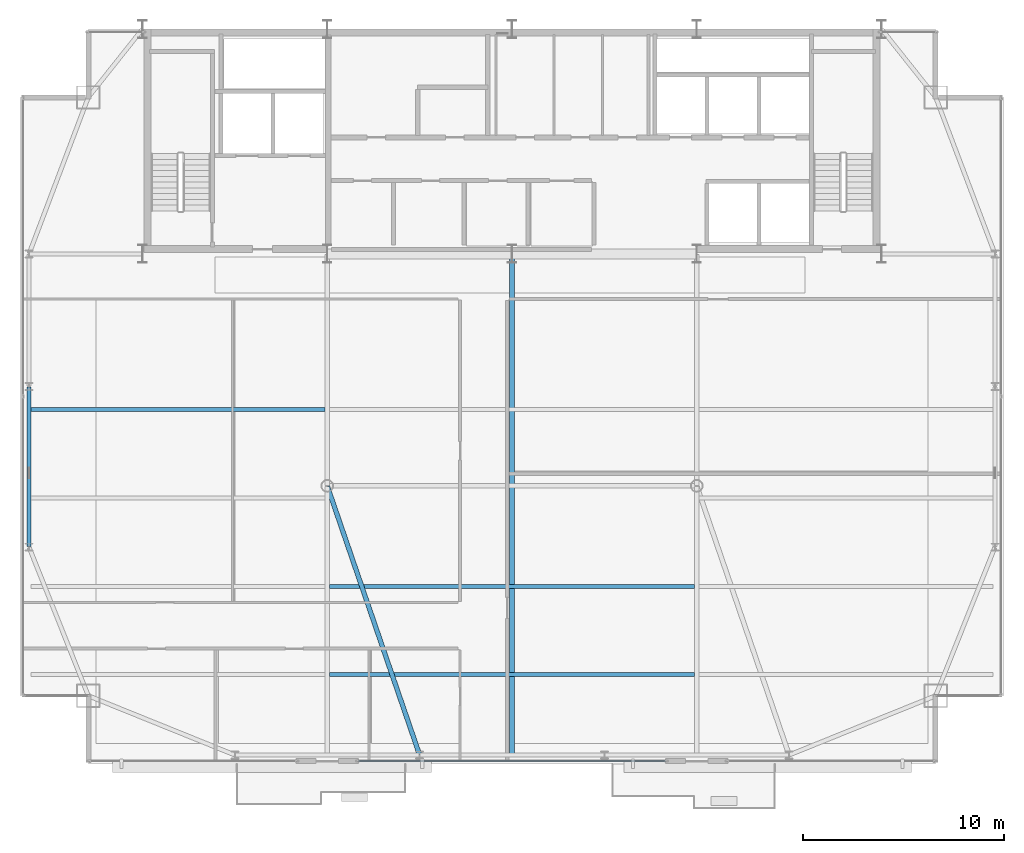
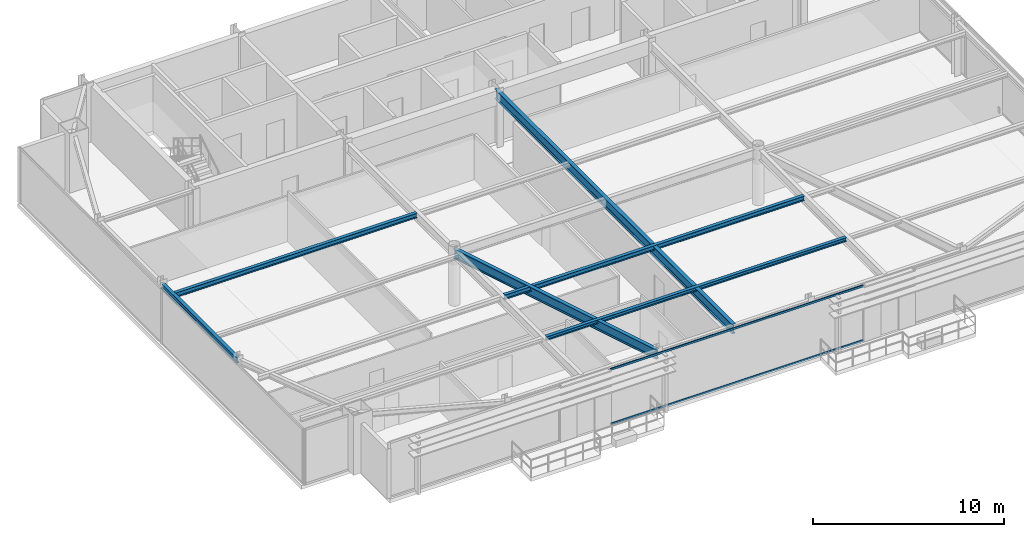
# One storey, part 9 of 30: 6 beams, 2 members, 1 element without a shape of its own.
"""IFC4 building model written with IfcOpenShell, lengths in metres."""

from ifc_helpers import new_model, si_unit, direction, frame, origin, origin_2d, place, context, subcontext, project, spatial, hollow_rectangle, i_section, extrude, source, transform, mapped, material, layer, layer_set, material_profile, profile_set, type_object, type_shapes, element, aggregate, save


model = new_model("IFC4")

# Units and contexts
model_context = context("Model", 3, precision=1e-05, world=origin(), true_north=direction((0.0, 1.0)))
body_context = subcontext(model_context, "Body", "Model", "MODEL_VIEW")
ifc_project = project(units=[si_unit("LENGTHUNIT", "METRE"), si_unit("AREAUNIT", "SQUARE_METRE"), si_unit("VOLUMEUNIT", "CUBIC_METRE"), si_unit("PLANEANGLEUNIT", "RADIAN"), si_unit("MASSUNIT", "GRAM", prefix="KILO")], contexts=[model_context])

# Site, building, storey
site_placement = place(None, origin())
site = spatial("IfcSite", under=ifc_project, at=site_placement, CompositionType="ELEMENT")
building_placement = place(site_placement, origin())
building = spatial("IfcBuilding", under=site, at=building_placement, Name="Varnel Quay Broadcast Tower", CompositionType="ELEMENT")
storey_placement = place(building_placement, frame((0.0, 0.0, 222.60009765625)))
storey = spatial("IfcBuildingStorey", under=building, at=storey_placement, Name="L55", CompositionType="ELEMENT", Elevation=222.60009765625)

# Beams
ifc_material_1 = material(Name="Structural Steel CSA G40.21 350W", Category="steel")
ifc_material_profile_1 = material_profile(ifc_material_1, i_section(OverallWidth=0.205078125, OverallDepth=0.35400390625, WebThickness=0.009521484375, FlangeThickness=0.016845703125, FilletRadius=0.012939453125, at=origin_2d()), Name="W360X79")
ifc_profile_set_1 = profile_set([ifc_material_profile_1], Name="Structural Steel CSA G40.21 350W")
beam_type_1 = type_object("IfcBeamType", Name="Beam_W360X79", PredefinedType="SPANDREL", material=ifc_profile_set_1)
shared_shape_1 = source(origin(), body_context, "Body", "SweptSolid", [
    extrude(i_section(OverallWidth=0.205078125, OverallDepth=0.35400390625, WebThickness=0.009521484375, FlangeThickness=0.016845703125, FilletRadius=0.012939453125, at=origin_2d()), origin(), (0.0, 0.0, 1.0), 7.9599609375),
])
type_shapes(beam_type_1, [shared_shape_1])
beam_1_placement = place(storey_placement, frame((9.949951171875, 21.02001953125, 3.372802734375), z_axis=(0.0, 1.0, 0.0), x_axis=(-1.0, 0.0, 0.0)))
element("IfcBeam", 1, at=beam_1_placement, inside=storey, type_object=beam_type_1, Name="L55 West Spandrel TC-W1-TC-W2", PredefinedType="SPANDREL", context=body_context, shape_type="MappedRepresentation", body=[
    mapped(shared_shape_1, transform((0.0, 0.0, 0.0), x_axis=(1.0, 0.0, 0.0), y_axis=(0.0, 1.0, 0.0), z_axis=(0.0, 0.0, 1.0), scale=1.0)),
])
ifc_material_profile_2 = material_profile(ifc_material_1, i_section(OverallWidth=0.22998046875, OverallDepth=0.616943359375, WebThickness=0.01318359375, FlangeThickness=0.022216796875, FilletRadius=0.01611328125, at=origin_2d()), Name="W610X140")
ifc_profile_set_2 = profile_set([ifc_material_profile_2], Name="Structural Steel CSA G40.21 350W")
beam_type_2 = type_object("IfcBeamType", Name="Girder_W610X140", PredefinedType="BEAM", material=ifc_profile_set_2)
shared_shape_2 = source(origin(), body_context, "Body", "SweptSolid", [
    extrude(i_section(OverallWidth=0.22998046875, OverallDepth=0.616943359375, WebThickness=0.01318359375, FlangeThickness=0.022216796875, FilletRadius=0.01611328125, at=origin_2d()), origin(), (0.0, 0.0, 1.0), 14.12744140625),
])
beam_2_placement = place(storey_placement, frame((29.3935546875, 10.6689453125, 3.241455078125), z_axis=(-0.324696747868, 0.945818175932, 0.0), x_axis=(-0.945818175932, -0.324696747868, 0.0)))
element("IfcBeam", 2, at=beam_2_placement, inside=storey, type_object=beam_type_2, Name="L55 Primary Girder TC-S2-IC-01", PredefinedType="BEAM", context=body_context, shape_type="MappedRepresentation", body=[
    mapped(shared_shape_2, transform((0.0, 0.0, 0.0), x_axis=(1.0, 0.0, 0.0), y_axis=(0.0, 1.0, 0.0), z_axis=(0.0, 0.0, 1.0), scale=1.0)),
])
shared_shape_3 = source(origin(), body_context, "Body", "SweptSolid", [
    extrude(i_section(OverallWidth=0.22998046875, OverallDepth=0.616943359375, WebThickness=0.01318359375, FlangeThickness=0.022216796875, FilletRadius=0.01611328125, at=origin_2d()), origin(), (0.0, 0.0, 1.0), 24.91015625),
])
type_shapes(beam_type_2, [shared_shape_2, shared_shape_3])
beam_3_placement = place(storey_placement, frame((34.0, 10.669921875, 3.241455078125), z_axis=(0.0, 1.0, 0.0), x_axis=(-1.0, 0.0, 0.0)))
element("IfcBeam", 3, at=beam_3_placement, inside=storey, type_object=beam_type_2, Name="L55 Central Bay Girder", PredefinedType="BEAM", context=body_context, shape_type="MappedRepresentation", body=[
    mapped(shared_shape_3, transform((0.0, 0.0, 0.0), x_axis=(1.0, 0.0, 0.0), y_axis=(0.0, 1.0, 0.0), z_axis=(0.0, 0.0, 1.0), scale=1.0)),
])
ifc_material_profile_3 = material_profile(ifc_material_1, i_section(OverallWidth=0.201904296875, OverallDepth=0.2470703125, WebThickness=0.00732421875, FlangeThickness=0.010986328125, FilletRadius=0.010986328125, at=origin_2d()), Name="W250X49")
ifc_profile_set_3 = profile_set([ifc_material_profile_3], Name="Structural Steel CSA G40.21 350W")
beam_type_3 = type_object("IfcBeamType", Name="Beam_W250X49", PredefinedType="JOIST", material=ifc_profile_set_3)
shared_shape_4 = source(origin(), body_context, "Body", "SweptSolid", [
    extrude(i_section(OverallWidth=0.201904296875, OverallDepth=0.2470703125, WebThickness=0.00732421875, FlangeThickness=0.010986328125, FilletRadius=0.010986328125, at=origin_2d()), origin(), (0.0, 0.0, 1.0), 18.18017578125),
])
type_shapes(beam_type_3, [shared_shape_4])
beam_4_placement = place(storey_placement, frame((24.909912109375, 14.64990234375, 3.426513671875), z_axis=(1.0, 0.0, 0.0), x_axis=(0.0, 1.0, 0.0)))
element("IfcBeam", 4, at=beam_4_placement, inside=storey, type_object=beam_type_3, Name="L55 Central Floor Joist 1", PredefinedType="JOIST", context=body_context, shape_type="MappedRepresentation", body=[
    mapped(shared_shape_4, transform((0.0, 0.0, 0.0), x_axis=(1.0, 0.0, 0.0), y_axis=(0.0, 1.0, 0.0), z_axis=(0.0, 0.0, 1.0), scale=1.0)),
])
ifc_material_profile_4 = material_profile(ifc_material_1, i_section(OverallWidth=0.202880859375, OverallDepth=0.302978515625, WebThickness=0.007568359375, FlangeThickness=0.01318359375, FilletRadius=0.011962890625, at=origin_2d()), Name="W310X60")
ifc_profile_set_4 = profile_set([ifc_material_profile_4], Name="Structural Steel CSA G40.21 350W")
beam_type_4 = type_object("IfcBeamType", Name="Beam_W310X60", PredefinedType="JOIST", material=ifc_profile_set_4)
shared_shape_5 = source(origin(), body_context, "Body", "SweptSolid", [
    extrude(i_section(OverallWidth=0.202880859375, OverallDepth=0.302978515625, WebThickness=0.007568359375, FlangeThickness=0.01318359375, FilletRadius=0.011962890625, at=origin_2d()), origin(), (0.0, 0.0, 1.0), 14.642333984375),
])
beam_5_placement = place(storey_placement, frame((10.047607421875, 27.85009765625, 3.3984375), z_axis=(1.0, 0.0, 0.0), x_axis=(0.0, 1.0, 0.0)))
element("IfcBeam", 5, at=beam_5_placement, inside=storey, type_object=beam_type_4, Name="L55 West Floor Joist 4", PredefinedType="JOIST", context=body_context, shape_type="MappedRepresentation", body=[
    mapped(shared_shape_5, transform((0.0, 0.0, 0.0), x_axis=(1.0, 0.0, 0.0), y_axis=(0.0, 1.0, 0.0), z_axis=(0.0, 0.0, 1.0), scale=1.0)),
])
shared_shape_6 = source(origin(), body_context, "Body", "SweptSolid", [
    extrude(i_section(OverallWidth=0.202880859375, OverallDepth=0.302978515625, WebThickness=0.007568359375, FlangeThickness=0.01318359375, FilletRadius=0.011962890625, at=origin_2d()), origin(), (0.0, 0.0, 1.0), 18.18017578125),
])
type_shapes(beam_type_4, [shared_shape_5, shared_shape_6])
beam_6_placement = place(storey_placement, frame((24.909912109375, 19.050048828125, 3.3984375), z_axis=(1.0, 0.0, 0.0), x_axis=(0.0, 1.0, 0.0)))
element("IfcBeam", 6, at=beam_6_placement, inside=storey, type_object=beam_type_4, Name="L55 Central Floor Joist 2", PredefinedType="JOIST", context=body_context, shape_type="MappedRepresentation", body=[
    mapped(shared_shape_6, transform((0.0, 0.0, 0.0), x_axis=(1.0, 0.0, 0.0), y_axis=(0.0, 1.0, 0.0), z_axis=(0.0, 0.0, 1.0), scale=1.0)),
])

# Curtain wall, members
ifc_material_2 = material(Name="Anodised Bronze Aluminium 6063-T6", Category="aluminium")
ifc_layer = layer(ifc_material_2, 0.18994140625, Name="Anodised Bronze Aluminium 6063-T6")
ifc_layer_set = layer_set([ifc_layer], Name="Anodised Bronze Aluminium 6063-T6")
curtain_wall_type = type_object("IfcCurtainWallType", Name="CW_UpperTower", PredefinedType="NOTDEFINED", material=ifc_layer_set)
curtain_wall_placement = place(storey_placement, origin())
curtain_wall = element("IfcCurtainWall", 7, at=curtain_wall_placement, inside=storey, type_object=curtain_wall_type, Name="L55 South Unitised Curtain Wall 2", PredefinedType="NOTDEFINED")
ifc_material_profile_5 = material_profile(ifc_material_2, hollow_rectangle(XDim=0.06005859375, YDim=0.125, WallThickness=0.0029296875, at=origin_2d()), Name="ALU60X125X3")
ifc_profile_set_5 = profile_set([ifc_material_profile_5], Name="Anodised Bronze Aluminium 6063-T6")
member_type = type_object("IfcMemberType", Name="Tran_CWS-03", PredefinedType="USERDEFINED", material=ifc_profile_set_5)
shared_shape_7 = source(origin(), body_context, "Body", "SweptSolid", [
    extrude(hollow_rectangle(XDim=0.06005859375, YDim=0.125, WallThickness=0.0029296875, at=origin_2d()), origin(), (0.0, 0.0, 1.0), 15.31005859375),
])
type_shapes(member_type, [shared_shape_7])
member_1_placement = place(storey_placement, frame((26.344970703125, 10.35009765625, 0.02978515625), z_axis=(1.0, 0.0, 0.0), x_axis=(0.0, 1.0, 0.0)))
member_1 = element("IfcMember", 8, at=member_1_placement, type_object=member_type, Name="CWS-03 transom 1.1", ObjectType="TRANSOM", PredefinedType="USERDEFINED", context=body_context, shape_type="MappedRepresentation", body=[
    mapped(shared_shape_7, transform((0.0, 0.0, 0.0), x_axis=(1.0, 0.0, 0.0), y_axis=(0.0, 1.0, 0.0), z_axis=(0.0, 0.0, 1.0), scale=1.0)),
])
member_2_placement = place(storey_placement, frame((26.344970703125, 10.35009765625, 3.52001953125), z_axis=(1.0, 0.0, 0.0), x_axis=(0.0, 1.0, 0.0)))
member_2 = element("IfcMember", 9, at=member_2_placement, type_object=member_type, Name="CWS-03 transom 1.2", ObjectType="TRANSOM", PredefinedType="USERDEFINED", context=body_context, shape_type="MappedRepresentation", body=[
    mapped(shared_shape_7, transform((0.0, 0.0, 0.0), x_axis=(1.0, 0.0, 0.0), y_axis=(0.0, 1.0, 0.0), z_axis=(0.0, 0.0, 1.0), scale=1.0)),
])
aggregate(curtain_wall, [member_1, member_2])

save(model, "model.ifc")
